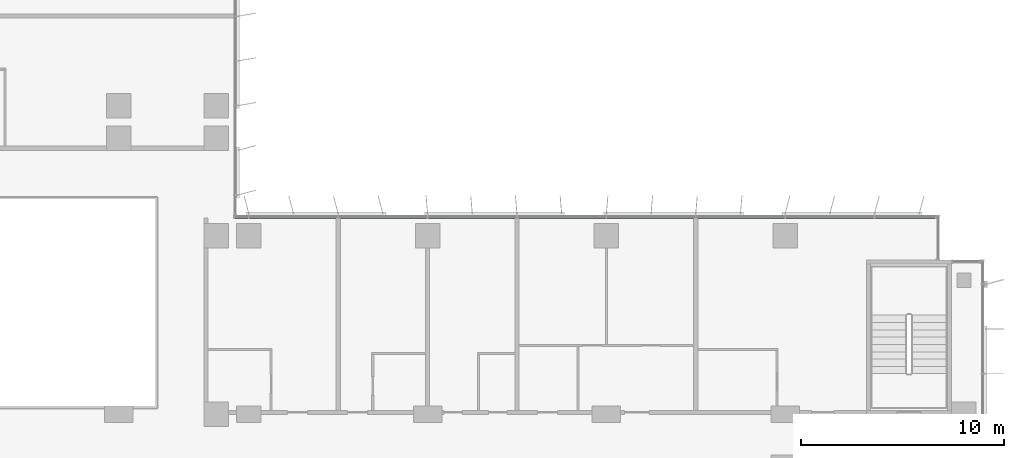
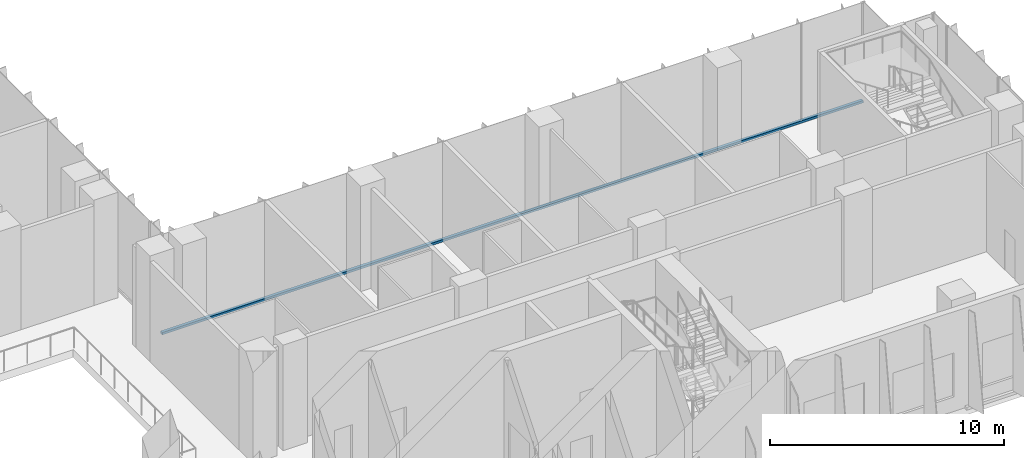
# One storey, part 3 of 26: 1 member, 1 element without a shape of its own.
"""IFC4 building model written with IfcOpenShell, lengths in metres."""

from ifc_helpers import new_model, si_unit, direction, frame, origin, origin_2d, place, context, subcontext, project, spatial, rectangle, extrude, material, material_profile, profile_set, type_object, element, aggregate, save


model = new_model("IFC4")

# Units and contexts
model_context = context("Model", 3, precision=1e-05, world=origin(), true_north=direction((0.0, 1.0)))
body_context = subcontext(model_context, "Body", "Model", "MODEL_VIEW")
ifc_project = project(units=[si_unit("LENGTHUNIT", "METRE"), si_unit("AREAUNIT", "SQUARE_METRE"), si_unit("VOLUMEUNIT", "CUBIC_METRE"), si_unit("PLANEANGLEUNIT", "RADIAN"), si_unit("MASSUNIT", "GRAM", prefix="KILO")], contexts=[model_context])

# Site, building, storey
site_placement = place(None, origin())
site = spatial("IfcSite", under=ifc_project, at=site_placement, CompositionType="ELEMENT")
building_placement = place(site_placement, origin())
building = spatial("IfcBuilding", under=site, at=building_placement, Name="Kemantara Hotel Tower", CompositionType="ELEMENT")
storey_placement = place(building_placement, frame((0.0, 0.0, 101.89990234375)))
storey = spatial("IfcBuildingStorey", under=building, at=storey_placement, Name="L24", CompositionType="ELEMENT", Elevation=101.89990234375)

# Curtain wall, member
ifc_material_1 = material(Name="Low-E tinted double insulated glass 36 mm", Category="glass")
curtain_wall_type = type_object("IfcCurtainWallType", Name="TOWER CURTAIN WALL, FRONT FACES", PredefinedType="USERDEFINED", material=ifc_material_1)
curtain_wall_placement = place(storey_placement, origin())
curtain_wall = element("IfcCurtainWall", 1, at=curtain_wall_placement, inside=storey, type_object=curtain_wall_type, Name="CW4 L24 T2-R13-1", ObjectType="TOWER CURTAIN WALL, FRONT FACES", PredefinedType="USERDEFINED")
ifc_material_2 = material(Name="Aluminium 6063-T6 bronze anodised", Category="aluminium")
ifc_material_profile = material_profile(ifc_material_2, rectangle(XDim=0.14990234375, YDim=0.1201171875, at=origin_2d()), Name="TOWER CURTAIN WALL, FRONT FACES TRANSOM")
ifc_profile_set = profile_set([ifc_material_profile], Name="Aluminium 6063-T6 bronze anodised")
member_type = type_object("IfcMemberType", Name="TOWER CURTAIN WALL, FRONT FACES TRANSOM", PredefinedType="USERDEFINED", material=ifc_profile_set)
member_placement = place(storey_placement, frame((61.25, 21.925048828125, 0.06005859375), z_axis=(-1.0, 0.0, 0.0), x_axis=(0.0, -1.0, 0.0)))
member = element("IfcMember", 2, at=member_placement, type_object=member_type, Name="CW4 sill transom T2-R13-1", ObjectType="TRANSOM", PredefinedType="USERDEFINED", context=body_context, shape_type="SweptSolid", body=[
    extrude(rectangle(XDim=0.14990234375, YDim=0.1201171875, at=origin_2d()), origin(), (0.0, 0.0, 1.0), 34.60009765625),
])
aggregate(curtain_wall, [member])

save(model, "model.ifc")
